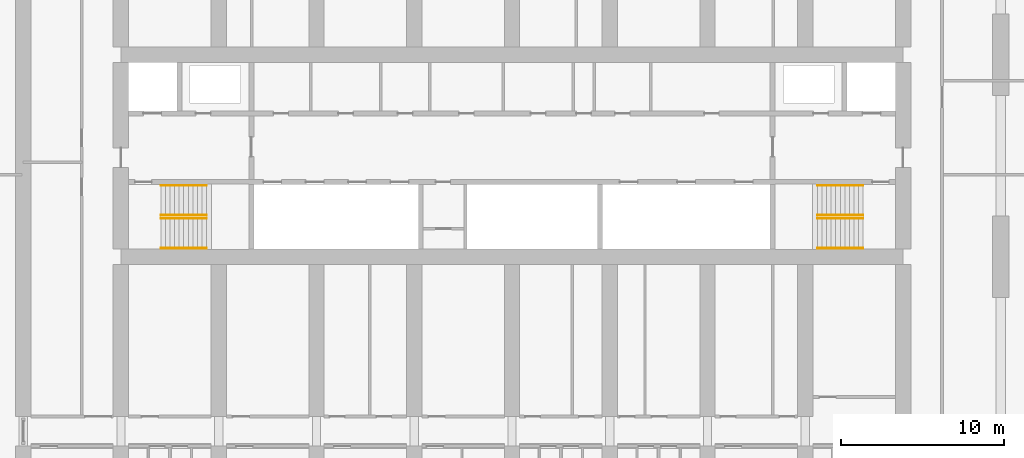
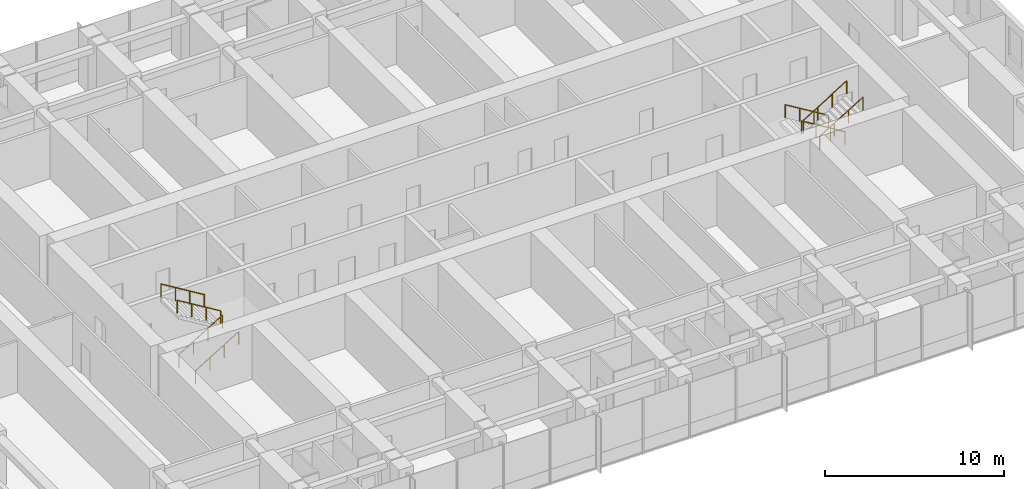
# One storey, part 21 of 21: 8 railings.
"""IFC4 building model written with IfcOpenShell, lengths in metres."""

from ifc_helpers import new_model, si_unit, direction, frame, origin, origin_2d, place, context, subcontext, project, spatial, circle, extrude, material, type_object, element, save


model = new_model("IFC4")

# Units and contexts
model_context = context("Model", 3, precision=1e-05, world=origin(), true_north=direction((0.0, 1.0)))
body_context = subcontext(model_context, "Body", "Model", "MODEL_VIEW")
ifc_project = project(units=[si_unit("LENGTHUNIT", "METRE"), si_unit("AREAUNIT", "SQUARE_METRE"), si_unit("VOLUMEUNIT", "CUBIC_METRE"), si_unit("PLANEANGLEUNIT", "RADIAN"), si_unit("MASSUNIT", "GRAM", prefix="KILO")], contexts=[model_context])

# Site, building, storey
site_placement = place(None, origin())
site = spatial("IfcSite", under=ifc_project, at=site_placement, CompositionType="ELEMENT")
building_placement = place(site_placement, origin())
building = spatial("IfcBuilding", under=site, at=building_placement, Name="Orbita Commons", CompositionType="ELEMENT")
storey_placement = place(building_placement, frame((0.0, 0.0, 106.89990234375)))
storey = spatial("IfcBuildingStorey", under=building, at=storey_placement, Name="L26", CompositionType="ELEMENT", Elevation=106.89990234375)

# Railings
ifc_material = material(Name="Steel tube, painted", Category="steel")
railing_type = type_object("IfcRailingType", Name="Stair handrail steel tube 900", PredefinedType="HANDRAIL", material=ifc_material)
for number, where, name in (
    (1, (20.449951171875, 28.1650390625, 0.170654296875), "Stair S1 handrail L26 flight 1"),
    (2, (20.449951171875, 26.3349609375, 0.170654296875), "Stair S1 handrail L26 flight 1"),
):
    element("IfcRailing", number, at=place(storey_placement, frame(where)), inside=storey, type_object=railing_type, Name=name, PredefinedType="HANDRAIL", context=body_context, shape_type="SweptSolid", body=[
        extrude(circle(Radius=0.02099609375, at=origin_2d()), frame((0.0, 0.0, 0.87890625), z_axis=(0.854202870247, 0.0, 0.519939858505), x_axis=(0.0, 1.0, 0.0)), (0.0, 0.0, 1.0), 3.278076171875),
        extrude(circle(Radius=0.02001953125, at=origin_2d()), origin(), (0.0, 0.0, 1.0), 0.85791015625),
        extrude(circle(Radius=0.02001953125, at=origin_2d()), frame((0.933349609375, 0.0, 0.568115234375)), (0.0, 0.0, 1.0), 0.85791015625),
        extrude(circle(Radius=0.02001953125, at=origin_2d()), frame((1.86669921875, 0.0, 1.13623046875)), (0.0, 0.0, 1.0), 0.85791015625),
        extrude(circle(Radius=0.02001953125, at=origin_2d()), frame((2.800048828125, 0.0, 1.704345703125)), (0.0, 0.0, 1.0), 0.85791015625),
    ])
for number, where, name in (
    (3, (23.25, 28.360107421875, 2.045654296875), "Stair S1 handrail L26 flight 2"),
    (4, (23.25, 30.18994140625, 2.045654296875), "Stair S1 handrail L26 flight 2"),
    (5, (63.550048828125, 28.360107421875, 0.170654296875), "Stair S2 handrail L26 flight 1"),
    (6, (63.550048828125, 30.18994140625, 0.170654296875), "Stair S2 handrail L26 flight 1"),
):
    element("IfcRailing", number, at=place(storey_placement, frame(where)), inside=storey, type_object=railing_type, Name=name, PredefinedType="HANDRAIL", context=body_context, shape_type="SweptSolid", body=[
        extrude(circle(Radius=0.02099609375, at=origin_2d()), frame((0.0, 0.0, 0.87890625), z_axis=(-0.854202870247, 0.0, 0.519939858505), x_axis=(0.0, -1.0, 0.0)), (0.0, 0.0, 1.0), 3.278076171875),
        extrude(circle(Radius=0.02001953125, at=origin_2d()), origin(), (0.0, 0.0, 1.0), 0.85791015625),
        extrude(circle(Radius=0.02001953125, at=origin_2d()), frame((-0.933349609375, 0.0, 0.568115234375)), (0.0, 0.0, 1.0), 0.85791015625),
        extrude(circle(Radius=0.02001953125, at=origin_2d()), frame((-1.86669921875, 0.0, 1.13623046875)), (0.0, 0.0, 1.0), 0.85791015625),
        extrude(circle(Radius=0.02001953125, at=origin_2d()), frame((-2.800048828125, 0.0, 1.704345703125)), (0.0, 0.0, 1.0), 0.85791015625),
    ])
for number, where, name in (
    (7, (60.75, 28.1650390625, 2.045654296875), "Stair S2 handrail L26 flight 2"),
    (8, (60.75, 26.3349609375, 2.045654296875), "Stair S2 handrail L26 flight 2"),
):
    element("IfcRailing", number, at=place(storey_placement, frame(where)), inside=storey, type_object=railing_type, Name=name, PredefinedType="HANDRAIL", context=body_context, shape_type="SweptSolid", body=[
        extrude(circle(Radius=0.02099609375, at=origin_2d()), frame((0.0, 0.0, 0.87890625), z_axis=(0.854202870247, 0.0, 0.519939858505), x_axis=(0.0, 1.0, 0.0)), (0.0, 0.0, 1.0), 3.278076171875),
        extrude(circle(Radius=0.02001953125, at=origin_2d()), origin(), (0.0, 0.0, 1.0), 0.85791015625),
        extrude(circle(Radius=0.02001953125, at=origin_2d()), frame((0.933349609375, 0.0, 0.568115234375)), (0.0, 0.0, 1.0), 0.85791015625),
        extrude(circle(Radius=0.02001953125, at=origin_2d()), frame((1.86669921875, 0.0, 1.13623046875)), (0.0, 0.0, 1.0), 0.85791015625),
        extrude(circle(Radius=0.02001953125, at=origin_2d()), frame((2.800048828125, 0.0, 1.704345703125)), (0.0, 0.0, 1.0), 0.85791015625),
    ])

save(model, "model.ifc")
